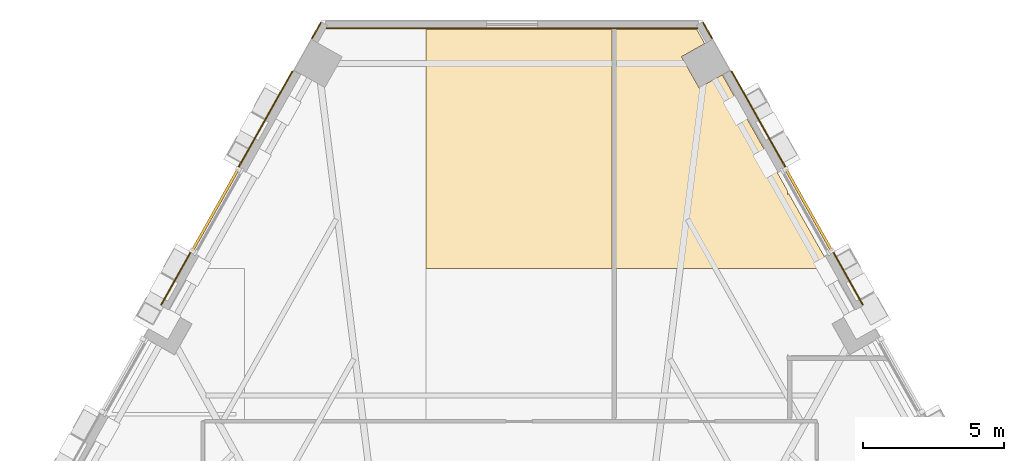
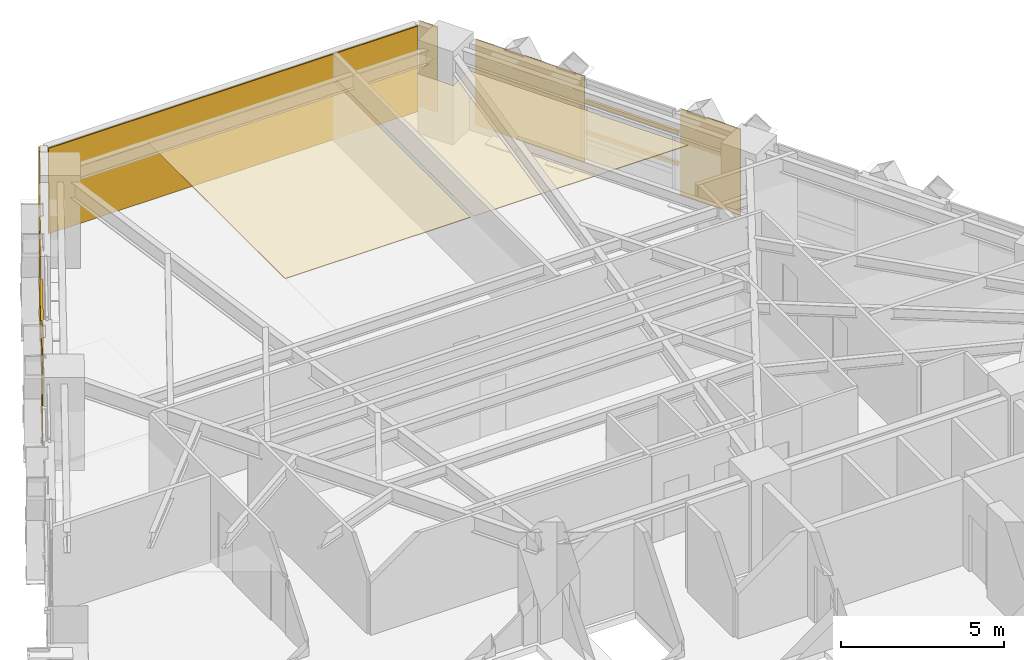
# One storey, part 13 of 13: 9 coverings, 4 shading devices.
"""IFC4 building model written with IfcOpenShell, lengths in metres."""

from ifc_helpers import new_model, si_unit, direction, frame, origin, origin_2d, place, context, subcontext, project, spatial, polyline, rectangle, outline, extrude, material, layer, layer_set, material_profile, profile_set, type_object, element, save


model = new_model("IFC4")

# Units and contexts
model_context = context("Model", 3, precision=1e-05, world=origin(), true_north=direction((0.0, 1.0)))
body_context = subcontext(model_context, "Body", "Model", "MODEL_VIEW")
ifc_project = project(units=[si_unit("LENGTHUNIT", "METRE"), si_unit("AREAUNIT", "SQUARE_METRE"), si_unit("VOLUMEUNIT", "CUBIC_METRE"), si_unit("PLANEANGLEUNIT", "RADIAN"), si_unit("MASSUNIT", "GRAM", prefix="KILO")], contexts=[model_context])

# Site, building, storey
site_placement = place(None, origin())
site = spatial("IfcSite", under=ifc_project, at=site_placement, CompositionType="ELEMENT")
building_placement = place(site_placement, origin())
building = spatial("IfcBuilding", under=site, at=building_placement, Name="Quenlor Broadcast Tower", CompositionType="ELEMENT")
storey_placement = place(building_placement, frame((0.0, 0.0, 41.60009765625)))
storey = spatial("IfcBuildingStorey", under=building, at=storey_placement, Name="L10", CompositionType="ELEMENT", Elevation=41.60009765625)

# Coverings
ifc_material_1 = material(Name="Acoustic Mineral Fibre Board", Category="other")
ifc_layer_1 = layer(ifc_material_1, 0.02490234375)
ifc_layer_set_1 = layer_set([ifc_layer_1], Name="Acoustic Perforated Mineral Tile Ceiling 25")
covering_type_1 = type_object("IfcCoveringType", Name="Acoustic Perforated Mineral Tile Ceiling 25", PredefinedType="CEILING", material=ifc_layer_set_1)
covering_1_placement = place(storey_placement, frame((0.0, 0.0, 2.224853515625)))
element("IfcCovering", 1, at=covering_1_placement, inside=storey, type_object=covering_type_1, Name="L10 Acoustic Ceiling L10-30-2", PredefinedType="CEILING", context=body_context, shape_type="SweptSolid", body=[
    extrude(outline(polyline([(-3.0400390625, 21.092041015625), (3.5400390625, 21.092041015625), (3.5400390625, 12.64990234375), (-3.0400390625, 12.64990234375), (-3.0400390625, 21.092041015625)])), origin(), (0.0, 0.0, 1.0), 0.025146484375),
])
covering_2_placement = place(storey_placement, frame((0.0, 0.0, 2.224853515625)))
element("IfcCovering", 2, at=covering_2_placement, inside=storey, type_object=covering_type_1, Name="L10 Acoustic Ceiling L10-31-2", PredefinedType="CEILING", context=body_context, shape_type="SweptSolid", body=[
    extrude(outline(polyline([(3.659912109375, 21.092041015625), (6.533203125, 21.092041015625), (6.810791015625, 20.598388671875), (5.989013671875, 20.135986328125), (6.609619140625, 19.03271484375), (7.431396484375, 19.4951171875), (9.739990234375, 15.390869140625), (9.739990234375, 15.267333984375), (9.75341796875, 15.282958984375), (9.775634765625, 15.3017578125), (11.276611328125, 12.64990234375), (3.659912109375, 12.64990234375), (3.659912109375, 21.092041015625)])), origin(), (0.0, 0.0, 1.0), 0.025146484375),
])

# Shading devices
ifc_material_2 = material(Name="Architectural Terracotta Ceramic", Category="masonry")
ifc_material_profile = material_profile(ifc_material_2, rectangle(XDim=0.090087890625, YDim=0.139892578125, at=origin_2d()))
ifc_profile_set = profile_set([ifc_material_profile], Name="Architectural Terracotta Ceramic BAG90x140")
shading_device_type = type_object("IfcShadingDeviceType", Name="Copper Terracotta Baguette Solar Screen 140", PredefinedType="USERDEFINED", material=ifc_profile_set)
for number, where, z_axis, x_axis, name in (
    (3, (9.680908203125, 16.15478515625, 1.169921875), (0.490233146241, -0.871591339061, 0.0), (0.871591339061, 0.490233146241, 0.0), "L10 Terracotta Baguette Screen 1"),
    (4, (9.680908203125, 16.15478515625, 2.33984375), (0.490233146241, -0.871591339061, 0.0), (0.871591339061, 0.490233146241, 0.0), "L10 Terracotta Baguette Screen 2"),
    (5, (-11.299072265625, 13.27783203125, 1.169921875), (0.490233146241, 0.871591339061, 0.0), (-0.871591339061, 0.490233146241, 0.0), "L10 Terracotta Baguette Screen 1"),
    (6, (-11.299072265625, 13.27783203125, 2.33984375), (0.490233146241, 0.871591339061, 0.0), (-0.871591339061, 0.490233146241, 0.0), "L10 Terracotta Baguette Screen 2"),
):
    element("IfcShadingDevice", number, at=place(storey_placement, frame(where, z_axis=z_axis, x_axis=x_axis)), inside=storey, type_object=shading_device_type, Name=name, ObjectType="BAGUETTE", PredefinedType="USERDEFINED", context=body_context, shape_type="SweptSolid", body=[
        extrude(rectangle(XDim=0.090087890625, YDim=0.139892578125, at=origin_2d()), origin(), (0.0, 0.0, 1.0), 3.30078125),
    ])

# Coverings
ifc_material_3 = material(Name="Architectural Terracotta Ceramic", Category="masonry")
ifc_layer_2 = layer(ifc_material_3, 0.044921875)
ifc_layer_set_2 = layer_set([ifc_layer_2], Name="Fluted Terracotta Rainscreen Cladding Panel")
covering_type_2 = type_object("IfcCoveringType", Name="Fluted Terracotta Rainscreen Cladding Panel", PredefinedType="CLADDING", material=ifc_layer_set_2)
covering_3_placement = place(storey_placement, frame((0.0, 0.0, 0.02001953125)))
element("IfcCovering", 7, at=covering_3_placement, inside=storey, type_object=covering_type_2, Name="L10 Terracotta Rainscreen Cladding L10-SHD-NES0", PredefinedType="CLADDING", context=body_context, shape_type="SweptSolid", body=[
    extrude(outline(polyline([(6.734130859375, 21.330078125), (7.052001953125, 20.76513671875), (7.09130859375, 20.787109375), (6.7734375, 21.35205078125), (6.734130859375, 21.330078125)])), origin(), (0.0, 0.0, 1.0), 3.2099609375),
])
covering_4_placement = place(storey_placement, frame((0.0, 0.0, 0.02001953125)))
element("IfcCovering", 8, at=covering_4_placement, inside=storey, type_object=covering_type_2, Name="L10 Terracotta Rainscreen Cladding L10-NEA-SP1", PredefinedType="CLADDING", context=body_context, shape_type="SweptSolid", body=[
    extrude(outline(polyline([(7.735107421875, 19.612060546875), (9.645751953125, 16.215576171875), (9.684814453125, 16.237548828125), (7.7744140625, 19.634033203125), (7.735107421875, 19.612060546875)])), origin(), (0.0, 0.0, 1.0), 3.2099609375),
])
covering_5_placement = place(storey_placement, frame((0.0, 0.0, 0.02001953125)))
element("IfcCovering", 9, at=covering_5_placement, inside=storey, type_object=covering_type_2, Name="L10 Terracotta Rainscreen Cladding L10-NEA-SP2", PredefinedType="CLADDING", context=body_context, shape_type="SweptSolid", body=[
    extrude(outline(polyline([(11.33251953125, 13.21630859375), (12.380615234375, 11.353515625), (12.419677734375, 11.37548828125), (11.371826171875, 13.23828125), (11.33251953125, 13.21630859375)])), origin(), (0.0, 0.0, 1.0), 3.2099609375),
])
covering_6_placement = place(storey_placement, frame((0.0, 0.0, 0.02001953125)))
element("IfcCovering", 10, at=covering_6_placement, inside=storey, type_object=covering_type_2, Name="L10 Terracotta Rainscreen Cladding L10-SHD-NWS1", PredefinedType="CLADDING", context=body_context, shape_type="SweptSolid", body=[
    extrude(outline(polyline([(-7.052001953125, 20.76513671875), (-6.734130859375, 21.330078125), (-6.7734375, 21.35205078125), (-7.09130859375, 20.787109375), (-7.052001953125, 20.76513671875)])), origin(), (0.0, 0.0, 1.0), 3.2099609375),
])
covering_7_placement = place(storey_placement, frame((0.0, 0.0, 0.02001953125)))
element("IfcCovering", 11, at=covering_7_placement, inside=storey, type_object=covering_type_2, Name="L10 Terracotta Rainscreen Cladding L10-NWC-SP1", PredefinedType="CLADDING", context=body_context, shape_type="SweptSolid", body=[
    extrude(outline(polyline([(-12.380615234375, 11.353515625), (-11.33251953125, 13.21630859375), (-11.371826171875, 13.23828125), (-12.419677734375, 11.37548828125), (-12.380615234375, 11.353515625)])), origin(), (0.0, 0.0, 1.0), 3.2099609375),
])
covering_8_placement = place(storey_placement, frame((0.0, 0.0, 0.02001953125)))
element("IfcCovering", 12, at=covering_8_placement, inside=storey, type_object=covering_type_2, Name="L10 Terracotta Rainscreen Cladding L10-NWC-SP2", PredefinedType="CLADDING", context=body_context, shape_type="SweptSolid", body=[
    extrude(outline(polyline([(-9.645751953125, 16.215576171875), (-7.735107421875, 19.612060546875), (-7.7744140625, 19.634033203125), (-9.684814453125, 16.237548828125), (-9.645751953125, 16.215576171875)])), origin(), (0.0, 0.0, 1.0), 3.2099609375),
])
covering_9_placement = place(storey_placement, frame((0.0, 0.0, 0.02001953125)))
element("IfcCovering", 13, at=covering_9_placement, inside=storey, type_object=covering_type_2, Name="L10 Terracotta Rainscreen Cladding L10-CNR-02", PredefinedType="CLADDING", context=body_context, shape_type="SweptSolid", body=[
    extrude(outline(polyline([(6.568359375, 21.159912109375), (-6.558349609375, 21.159912109375), (-6.558349609375, 21.114990234375), (6.568359375, 21.114990234375), (6.568359375, 21.159912109375)])), origin(), (0.0, 0.0, 1.0), 3.2099609375),
])

save(model, "model.ifc")
